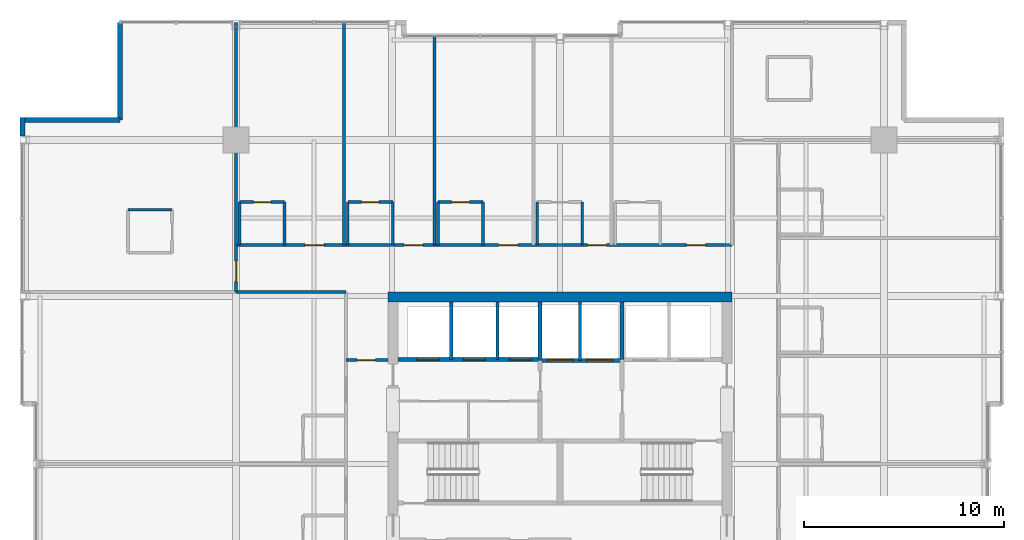
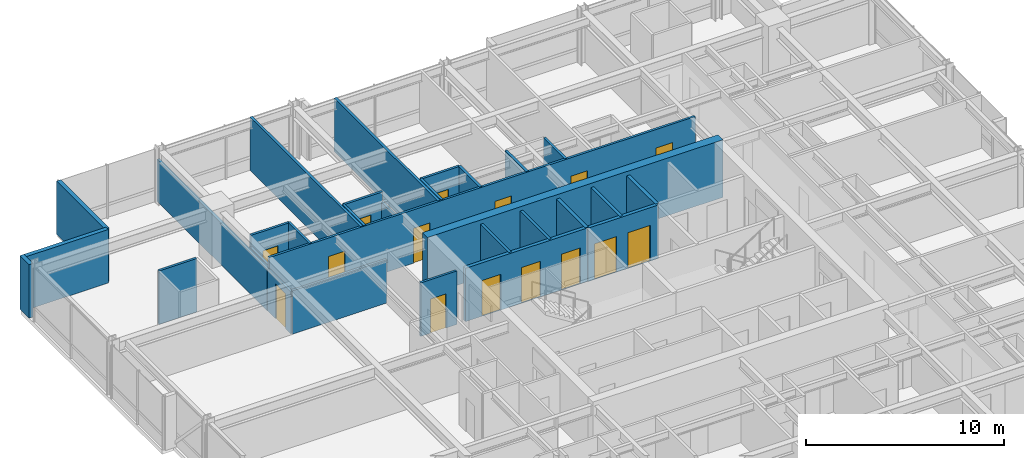
# One storey, part 29 of 33: 30 walls, 15 doors, 15 openings.
"""IFC4 building model written with IfcOpenShell, lengths in metres."""

from ifc_helpers import new_model, si_unit, direction, frame, frame_2d, origin, place, context, subcontext, project, spatial, rectangle, extrude, material, layer, layer_set, type_object, element, fill, save


model = new_model("IFC4")

# Units and contexts
model_context = context("Model", 3, precision=1e-05, world=origin(), true_north=direction((0.0, 1.0)))
body_context = subcontext(model_context, "Body", "Model", "MODEL_VIEW")
ifc_project = project(units=[si_unit("LENGTHUNIT", "METRE"), si_unit("AREAUNIT", "SQUARE_METRE"), si_unit("VOLUMEUNIT", "CUBIC_METRE"), si_unit("PLANEANGLEUNIT", "RADIAN"), si_unit("MASSUNIT", "GRAM", prefix="KILO")], contexts=[model_context])

# Site, building, storey
site_placement = place(None, origin())
site = spatial("IfcSite", under=ifc_project, at=site_placement, CompositionType="ELEMENT")
building_placement = place(site_placement, origin())
building = spatial("IfcBuilding", under=site, at=building_placement, Name="Drelvath Grand Hotel", CompositionType="ELEMENT")
storey_placement = place(building_placement, frame((0.0, 0.0, 153.949951171875)))
storey = spatial("IfcBuildingStorey", under=building, at=storey_placement, Name="L39", CompositionType="ELEMENT", Elevation=153.949951171875)

# Wall
ifc_material_1 = material(Name="Concrete C40/50", Category="concrete")
ifc_layer_1 = layer(ifc_material_1, 0.199951171875)
ifc_layer_set_1 = layer_set([ifc_layer_1], Name="Concrete C40/50")
wall_type_1 = type_object("IfcWallType", Name="Core Hoistway Fire Wall 200", PredefinedType="SOLIDWALL", material=ifc_layer_set_1)
wall_1_placement = place(storey_placement, frame((3.10009765625, 32.219970703125, 0.0), z_axis=(0.0, 0.0, 1.0), x_axis=(0.0, 1.0, 0.0)))
element("IfcWall", 1, at=wall_1_placement, inside=storey, type_object=wall_type_1, Name="L39 FSAE Hoistway West Wall", PredefinedType="SOLIDWALL", context=body_context, shape_type="SweptSolid", body=[
    extrude(rectangle(XDim=2.880126953125, YDim=0.199951171875, at=frame_2d((1.43994140625, 0.0))), origin(), (0.0, 0.0, 1.0), 3.2900390625),
])

# Wall, openings, doors
wall_2_placement = place(storey_placement, frame((-1.0, 32.179931640625, 0.0), z_axis=(0.0, 0.0, 1.0), x_axis=(1.0, 0.0, 0.0)))
wall_2 = element("IfcWall", 2, at=wall_2_placement, inside=storey, type_object=wall_type_1, Name="L39 Service Lift Hoistway Wall", PredefinedType="SOLIDWALL", context=body_context, shape_type="SweptSolid", body=[
    extrude(rectangle(XDim=4.10009765625, YDim=0.199951171875, at=frame_2d((2.050048828125, 0.0))), origin(), (0.0, 0.0, 1.0), 3.2900390625),
])
opening_1_placement = place(wall_2_placement, frame((0.3701171875, 0.0, 0.0)))
opening_1 = element("IfcOpeningElement", 3, at=opening_1_placement, cuts=wall_2, Name="Opening LD-SV-2", PredefinedType="OPENING", context=body_context, shape_type="SweptSolid", body=[
    extrude(rectangle(XDim=1.300048828125, YDim=2.199951171875, at=frame_2d((0.64990234375, 1.10009765625))), frame((0.0, 0.10986328125, 0.0), z_axis=(0.0, -1.0, 0.0), x_axis=(1.0, 0.0, 0.0)), (0.0, 0.0, 1.0), 0.219970703125),
])
opening_2_placement = place(wall_2_placement, frame((2.330078125, 0.0, 0.0)))
opening_2 = element("IfcOpeningElement", 4, at=opening_2_placement, cuts=wall_2, Name="Opening LD-SV-1", PredefinedType="OPENING", context=body_context, shape_type="SweptSolid", body=[
    extrude(rectangle(XDim=1.300048828125, YDim=2.199951171875, at=frame_2d((0.64990234375, 1.10009765625))), frame((0.0, 0.10986328125, 0.0), z_axis=(0.0, -1.0, 0.0), x_axis=(1.0, 0.0, 0.0)), (0.0, 0.0, 1.0), 0.219970703125),
])
ifc_material_2 = material(Name="Stainless Steel S355", Category="steel")
door_type_1 = type_object("IfcDoorType", Name="Service Lift Sliding Landing Door 1300x2200", OperationType="NOTDEFINED", PredefinedType="DOOR", material=ifc_material_2)
door_1_placement = place(opening_1_placement, origin())
door_1 = element("IfcDoor", 5, at=door_1_placement, inside=storey, type_object=door_type_1, Name="L39 Lift SV-2 Landing Door", OperationType="SLIDING_TO_LEFT", OverallHeight=2.199951171875, OverallWidth=1.300048828125, PredefinedType="DOOR", context=body_context, shape_type="SweptSolid", body=[
    extrude(rectangle(XDim=1.300048828125, YDim=2.199951171875, at=frame_2d((0.64990234375, 1.10009765625))), frame((0.0, 0.02490234375, 0.0), z_axis=(0.0, -1.0, 0.0), x_axis=(1.0, 0.0, 0.0)), (0.0, 0.0, 1.0), 0.050048828125),
])
fill(opening_1, door_1)
door_2_placement = place(opening_2_placement, origin())
door_2 = element("IfcDoor", 6, at=door_2_placement, inside=storey, type_object=door_type_1, Name="L39 Lift SV-1 Landing Door", OperationType="SLIDING_TO_LEFT", OverallHeight=2.199951171875, OverallWidth=1.300048828125, PredefinedType="DOOR", context=body_context, shape_type="SweptSolid", body=[
    extrude(rectangle(XDim=1.300048828125, YDim=2.199951171875, at=frame_2d((0.64990234375, 1.10009765625))), frame((0.0, 0.02490234375, 0.0), z_axis=(0.0, -1.0, 0.0), x_axis=(1.0, 0.0, 0.0)), (0.0, 0.0, 1.0), 0.050048828125),
])
fill(opening_2, door_2)

# Wall
wall_3_placement = place(storey_placement, frame((-1.0, 32.179931640625, 0.0), z_axis=(0.0, 0.0, 1.0), x_axis=(0.0, 1.0, 0.0)))
element("IfcWall", 7, at=wall_3_placement, inside=storey, type_object=wall_type_1, Name="L39 Service Lift West Wall", PredefinedType="SOLIDWALL", context=body_context, shape_type="SweptSolid", body=[
    extrude(rectangle(XDim=2.920166015625, YDim=0.199951171875, at=frame_2d((1.4599609375, 0.0))), origin(), (0.0, 0.0, 1.0), 3.2900390625),
])

# Wall, openings, doors
wall_4_placement = place(storey_placement, frame((-8.10009765625, 32.219970703125, 0.0), z_axis=(0.0, 0.0, 1.0), x_axis=(1.0, 0.0, 0.0)))
wall_4 = element("IfcWall", 8, at=wall_4_placement, inside=storey, type_object=wall_type_1, Name="L39 Bank 3 Hoistway Wall", PredefinedType="SOLIDWALL", context=body_context, shape_type="SweptSolid", body=[
    extrude(rectangle(XDim=7.10009765625, YDim=0.199951171875, at=frame_2d((3.550048828125, 0.0))), origin(), (0.0, 0.0, 1.0), 3.2900390625),
])
opening_3_placement = place(wall_4_placement, frame((0.949951171875, 0.0, 0.0)))
opening_3 = element("IfcOpeningElement", 9, at=opening_3_placement, cuts=wall_4, Name="Opening LD-PE-7", PredefinedType="OPENING", context=body_context, shape_type="SweptSolid", body=[
    extrude(rectangle(XDim=1.10009765625, YDim=2.199951171875, at=frame_2d((0.550048828125, 1.10009765625))), frame((0.0, 0.10986328125, 0.0), z_axis=(0.0, -1.0, 0.0), x_axis=(1.0, 0.0, 0.0)), (0.0, 0.0, 1.0), 0.219970703125),
])
opening_4_placement = place(wall_4_placement, frame((3.27001953125, 0.0, 0.0)))
opening_4 = element("IfcOpeningElement", 10, at=opening_4_placement, cuts=wall_4, Name="Opening LD-PE-8", PredefinedType="OPENING", context=body_context, shape_type="SweptSolid", body=[
    extrude(rectangle(XDim=1.10009765625, YDim=2.199951171875, at=frame_2d((0.550048828125, 1.10009765625))), frame((0.0, 0.10986328125, 0.0), z_axis=(0.0, -1.0, 0.0), x_axis=(1.0, 0.0, 0.0)), (0.0, 0.0, 1.0), 0.219970703125),
])
opening_5_placement = place(wall_4_placement, frame((5.590087890625, 0.0, 0.0)))
opening_5 = element("IfcOpeningElement", 11, at=opening_5_placement, cuts=wall_4, Name="Opening LD-PE-9", PredefinedType="OPENING", context=body_context, shape_type="SweptSolid", body=[
    extrude(rectangle(XDim=1.10009765625, YDim=2.199951171875, at=frame_2d((0.550048828125, 1.10009765625))), frame((0.0, 0.10986328125, 0.0), z_axis=(0.0, -1.0, 0.0), x_axis=(1.0, 0.0, 0.0)), (0.0, 0.0, 1.0), 0.219970703125),
])
door_type_2 = type_object("IfcDoorType", Name="Passenger Lift Sliding Landing Door 1100x2200", OperationType="NOTDEFINED", PredefinedType="DOOR", material=ifc_material_2)
door_3_placement = place(opening_3_placement, origin())
door_3 = element("IfcDoor", 12, at=door_3_placement, inside=storey, type_object=door_type_2, Name="L39 Lift PE-7 Landing Door", OperationType="SLIDING_TO_LEFT", OverallHeight=2.199951171875, OverallWidth=1.10009765625, PredefinedType="DOOR", context=body_context, shape_type="SweptSolid", body=[
    extrude(rectangle(XDim=1.10009765625, YDim=2.199951171875, at=frame_2d((0.550048828125, 1.10009765625))), frame((0.0, 0.02490234375, 0.0), z_axis=(0.0, -1.0, 0.0), x_axis=(1.0, 0.0, 0.0)), (0.0, 0.0, 1.0), 0.050048828125),
])
fill(opening_3, door_3)
door_4_placement = place(opening_4_placement, origin())
door_4 = element("IfcDoor", 13, at=door_4_placement, inside=storey, type_object=door_type_2, Name="L39 Lift PE-8 Landing Door", OperationType="SLIDING_TO_LEFT", OverallHeight=2.199951171875, OverallWidth=1.10009765625, PredefinedType="DOOR", context=body_context, shape_type="SweptSolid", body=[
    extrude(rectangle(XDim=1.10009765625, YDim=2.199951171875, at=frame_2d((0.550048828125, 1.10009765625))), frame((0.0, 0.02490234375, 0.0), z_axis=(0.0, -1.0, 0.0), x_axis=(1.0, 0.0, 0.0)), (0.0, 0.0, 1.0), 0.050048828125),
])
fill(opening_4, door_4)
door_5_placement = place(opening_5_placement, origin())
door_5 = element("IfcDoor", 14, at=door_5_placement, inside=storey, type_object=door_type_2, Name="L39 Lift PE-9 Landing Door", OperationType="SLIDING_TO_LEFT", OverallHeight=2.199951171875, OverallWidth=1.10009765625, PredefinedType="DOOR", context=body_context, shape_type="SweptSolid", body=[
    extrude(rectangle(XDim=1.10009765625, YDim=2.199951171875, at=frame_2d((0.550048828125, 1.10009765625))), frame((0.0, 0.02490234375, 0.0), z_axis=(0.0, -1.0, 0.0), x_axis=(1.0, 0.0, 0.0)), (0.0, 0.0, 1.0), 0.050048828125),
])
fill(opening_5, door_5)

# Walls
ifc_material_3 = material(Name="Gypsum Fireboard Partition")
ifc_layer_2 = layer(ifc_material_3, 0.1650390625)
ifc_layer_set_2 = layer_set([ifc_layer_2], Name="Gypsum Fireboard Partition")
wall_type_2 = type_object("IfcWallType", Name="Core Shaft Partition 165", PredefinedType="PARTITIONING", material=ifc_layer_set_2)
wall_5_placement = place(storey_placement, frame((1.0, 32.179931640625, 0.0), z_axis=(0.0, 0.0, 1.0), x_axis=(0.0, 1.0, 0.0)))
element("IfcWall", 15, at=wall_5_placement, inside=storey, type_object=wall_type_2, Name="L39 Service Lift Divider", PredefinedType="PARTITIONING", context=body_context, shape_type="SweptSolid", body=[
    extrude(rectangle(XDim=2.920166015625, YDim=0.1650390625, at=frame_2d((1.4599609375, 0.0))), origin(), (0.0, 0.0, 1.0), 3.2900390625),
])
for number, where, z_axis, x_axis, name in (
    (16, (-5.43994140625, 32.219970703125, 0.0), (0.0, 0.0, 1.0), (0.0, 1.0, 0.0), "L39 Lift PE-7/8 Divider"),
    (17, (-3.1201171875, 32.219970703125, 0.0), (0.0, 0.0, 1.0), (0.0, 1.0, 0.0), "L39 Lift PE-8/9 Divider"),
):
    element("IfcWall", number, at=place(storey_placement, frame(where, z_axis=z_axis, x_axis=x_axis)), inside=storey, type_object=wall_type_2, Name=name, PredefinedType="PARTITIONING", context=body_context, shape_type="SweptSolid", body=[
        extrude(rectangle(XDim=2.880126953125, YDim=0.1650390625, at=frame_2d((1.43994140625, 0.0))), origin(), (0.0, 0.0, 1.0), 3.2900390625),
    ])

# Wall, opening, door
ifc_layer_3 = layer(ifc_material_3, 0.135009765625)
ifc_layer_set_3 = layer_set([ifc_layer_3], Name="Gypsum Fireboard Partition")
wall_type_3 = type_object("IfcWallType", Name="Corridor Fire Barrier Wall 135", PredefinedType="PARTITIONING", material=ifc_layer_set_3)
wall_6_placement = place(storey_placement, frame((-10.699951171875, 32.199951171875, 0.0), z_axis=(0.0, 0.0, 1.0), x_axis=(1.0, 0.0, 0.0)))
wall_6 = element("IfcWall", 18, at=wall_6_placement, inside=storey, type_object=wall_type_3, Name="L39 West Foyer North Wall", PredefinedType="PARTITIONING", context=body_context, shape_type="SweptSolid", body=[
    extrude(rectangle(XDim=2.099853515625, YDim=0.135009765625, at=frame_2d((1.0498046875, 0.0))), origin(), (0.0, 0.0, 1.0), 3.2900390625),
])
opening_6_placement = place(wall_6_placement, frame((0.550048828125, 0.0, 0.0)))
opening_6 = element("IfcOpeningElement", 19, at=opening_6_placement, cuts=wall_6, Name="Opening D-T3G1-025", PredefinedType="OPENING", context=body_context, shape_type="SweptSolid", body=[
    extrude(rectangle(XDim=0.919921875, YDim=2.10009765625, at=frame_2d((0.4599609375, 1.050048828125))), frame((0.0, 0.077392578125, 0.0), z_axis=(0.0, -1.0, 0.0), x_axis=(1.0, 0.0, 0.0)), (0.0, 0.0, 1.0), 0.155029296875),
])
ifc_material_4 = material(Name="Painted Steel S275", Category="steel")
door_type_3 = type_object("IfcDoorType", Name="Staff Utility Door 920x2100", OperationType="NOTDEFINED", PredefinedType="DOOR", material=ifc_material_4)
door_6_placement = place(opening_6_placement, origin())
door_6 = element("IfcDoor", 20, at=door_6_placement, inside=storey, type_object=door_type_3, Name="L39 West Pantry Door", OperationType="SINGLE_SWING_LEFT", OverallHeight=2.10009765625, OverallWidth=0.919921875, PredefinedType="DOOR", context=body_context, shape_type="SweptSolid", body=[
    extrude(rectangle(XDim=0.919921875, YDim=2.10009765625, at=frame_2d((0.4599609375, 1.050048828125))), frame((0.0, 0.02490234375, 0.0), z_axis=(0.0, -1.0, 0.0), x_axis=(1.0, 0.0, 0.0)), (0.0, 0.0, 1.0), 0.050048828125),
])
fill(opening_6, door_6)

# Wall
wall_7_placement = place(storey_placement, frame((-16.199951171875, 35.60009765625, 0.0), z_axis=(0.0, 0.0, 1.0), x_axis=(1.0, 0.0, 0.0)))
element("IfcWall", 21, at=wall_7_placement, inside=storey, type_object=wall_type_3, Name="L39 NW Stub South Wall", PredefinedType="PARTITIONING", context=body_context, shape_type="SweptSolid", body=[
    extrude(rectangle(XDim=5.5, YDim=0.135009765625, at=frame_2d((2.75, 0.0))), origin(), (0.0, 0.0, 1.0), 2.66748046875),
])

# Wall, openings, doors
wall_8_placement = place(storey_placement, frame((-16.199951171875, 37.949951171875, 0.0), z_axis=(0.0, 0.0, 1.0), x_axis=(1.0, 0.0, 0.0)))
wall_8 = element("IfcWall", 22, at=wall_8_placement, inside=storey, type_object=wall_type_3, Name="L39 North Stub Corridor Wall", PredefinedType="PARTITIONING", context=body_context, shape_type="SweptSolid", body=[
    extrude(rectangle(XDim=24.800048828125, YDim=0.135009765625, at=frame_2d((12.39990234375, 0.0))), origin(), (0.0, 0.0, 1.0), 3.2900390625),
])
opening_7_placement = place(wall_8_placement, frame((3.4404296875, 0.0, 0.0)))
opening_7 = element("IfcOpeningElement", 23, at=opening_7_placement, cuts=wall_8, Name="Opening D-T3G1-044", PredefinedType="OPENING", context=body_context, shape_type="SweptSolid", body=[
    extrude(rectangle(XDim=0.9599609375, YDim=2.14990234375, at=frame_2d((0.47998046875, 1.074951171875))), frame((0.0, 0.077392578125, 0.0), z_axis=(0.0, -1.0, 0.0), x_axis=(1.0, 0.0, 0.0)), (0.0, 0.0, 1.0), 0.155029296875),
])
opening_8_placement = place(wall_8_placement, frame((8.400390625, 0.0, 0.0)))
opening_8 = element("IfcOpeningElement", 24, at=opening_8_placement, cuts=wall_8, Name="Opening D-T3G1-046", PredefinedType="OPENING", context=body_context, shape_type="SweptSolid", body=[
    extrude(rectangle(XDim=0.9599609375, YDim=2.14990234375, at=frame_2d((0.47998046875, 1.074951171875))), frame((0.0, 0.077392578125, 0.0), z_axis=(0.0, -1.0, 0.0), x_axis=(1.0, 0.0, 0.0)), (0.0, 0.0, 1.0), 0.155029296875),
])
opening_9_placement = place(wall_8_placement, frame((13.135009765625, 0.0, 0.0)))
opening_9 = element("IfcOpeningElement", 25, at=opening_9_placement, cuts=wall_8, Name="Opening D-T3G1-048", PredefinedType="OPENING", context=body_context, shape_type="SweptSolid", body=[
    extrude(rectangle(XDim=0.9599609375, YDim=2.14990234375, at=frame_2d((0.47998046875, 1.074951171875))), frame((0.0, 0.077392578125, 0.0), z_axis=(0.0, -1.0, 0.0), x_axis=(1.0, 0.0, 0.0)), (0.0, 0.0, 1.0), 0.155029296875),
])
opening_10_placement = place(wall_8_placement, frame((17.56494140625, 0.0, 0.0)))
opening_10 = element("IfcOpeningElement", 26, at=opening_10_placement, cuts=wall_8, Name="Opening D-T3G1-050", PredefinedType="OPENING", context=body_context, shape_type="SweptSolid", body=[
    extrude(rectangle(XDim=0.9599609375, YDim=2.14990234375, at=frame_2d((0.47998046875, 1.074951171875))), frame((0.0, 0.077392578125, 0.0), z_axis=(0.0, -1.0, 0.0), x_axis=(1.0, 0.0, 0.0)), (0.0, 0.0, 1.0), 0.155029296875),
])
opening_11_placement = place(wall_8_placement, frame((22.52490234375, 0.0, 0.0)))
opening_11 = element("IfcOpeningElement", 27, at=opening_11_placement, cuts=wall_8, Name="Opening D-T3G1-052", PredefinedType="OPENING", context=body_context, shape_type="SweptSolid", body=[
    extrude(rectangle(XDim=0.9599609375, YDim=2.14990234375, at=frame_2d((0.47998046875, 1.074951171875))), frame((0.0, 0.077392578125, 0.0), z_axis=(0.0, -1.0, 0.0), x_axis=(1.0, 0.0, 0.0)), (0.0, 0.0, 1.0), 0.155029296875),
])
ifc_material_5 = material(Name="Hardwood Walnut Timber", Category="wood")
door_type_4 = type_object("IfcDoorType", Name="Guestroom Entrance Fire Door 960x2150", OperationType="NOTDEFINED", PredefinedType="DOOR", material=ifc_material_5)
door_7_placement = place(opening_7_placement, origin())
door_7 = element("IfcDoor", 28, at=door_7_placement, inside=storey, type_object=door_type_4, Name="L39 King Guest Room Entry Door", OperationType="SINGLE_SWING_RIGHT", OverallHeight=2.14990234375, OverallWidth=0.9599609375, PredefinedType="DOOR", context=body_context, shape_type="SweptSolid", body=[
    extrude(rectangle(XDim=0.9599609375, YDim=2.14990234375, at=frame_2d((0.47998046875, 1.074951171875))), frame((0.0, 0.02490234375, 0.0), z_axis=(0.0, -1.0, 0.0), x_axis=(1.0, 0.0, 0.0)), (0.0, 0.0, 1.0), 0.050048828125),
])
fill(opening_7, door_7)
door_8_placement = place(opening_8_placement, origin())
door_8 = element("IfcDoor", 29, at=door_8_placement, inside=storey, type_object=door_type_4, Name="L39 King Guest Room Entry Door", OperationType="SINGLE_SWING_RIGHT", OverallHeight=2.14990234375, OverallWidth=0.9599609375, PredefinedType="DOOR", context=body_context, shape_type="SweptSolid", body=[
    extrude(rectangle(XDim=0.9599609375, YDim=2.14990234375, at=frame_2d((0.47998046875, 1.074951171875))), frame((0.0, 0.02490234375, 0.0), z_axis=(0.0, -1.0, 0.0), x_axis=(1.0, 0.0, 0.0)), (0.0, 0.0, 1.0), 0.050048828125),
])
fill(opening_8, door_8)
door_9_placement = place(opening_9_placement, origin())
door_9 = element("IfcDoor", 30, at=door_9_placement, inside=storey, type_object=door_type_4, Name="L39 King Guest Room Entry Door", OperationType="SINGLE_SWING_RIGHT", OverallHeight=2.14990234375, OverallWidth=0.9599609375, PredefinedType="DOOR", context=body_context, shape_type="SweptSolid", body=[
    extrude(rectangle(XDim=0.9599609375, YDim=2.14990234375, at=frame_2d((0.47998046875, 1.074951171875))), frame((0.0, 0.02490234375, 0.0), z_axis=(0.0, -1.0, 0.0), x_axis=(1.0, 0.0, 0.0)), (0.0, 0.0, 1.0), 0.050048828125),
])
fill(opening_9, door_9)
door_10_placement = place(opening_10_placement, origin())
door_10 = element("IfcDoor", 31, at=door_10_placement, inside=storey, type_object=door_type_4, Name="L39 King Guest Room Entry Door", OperationType="SINGLE_SWING_RIGHT", OverallHeight=2.14990234375, OverallWidth=0.9599609375, PredefinedType="DOOR", context=body_context, shape_type="SweptSolid", body=[
    extrude(rectangle(XDim=0.9599609375, YDim=2.14990234375, at=frame_2d((0.47998046875, 1.074951171875))), frame((0.0, 0.02490234375, 0.0), z_axis=(0.0, -1.0, 0.0), x_axis=(1.0, 0.0, 0.0)), (0.0, 0.0, 1.0), 0.050048828125),
])
fill(opening_10, door_10)
door_11_placement = place(opening_11_placement, origin())
door_11 = element("IfcDoor", 32, at=door_11_placement, inside=storey, type_object=door_type_4, Name="L39 King Guest Room Entry Door", OperationType="SINGLE_SWING_RIGHT", OverallHeight=2.14990234375, OverallWidth=0.9599609375, PredefinedType="DOOR", context=body_context, shape_type="SweptSolid", body=[
    extrude(rectangle(XDim=0.9599609375, YDim=2.14990234375, at=frame_2d((0.47998046875, 1.074951171875))), frame((0.0, 0.02490234375, 0.0), z_axis=(0.0, -1.0, 0.0), x_axis=(1.0, 0.0, 0.0)), (0.0, 0.0, 1.0), 0.050048828125),
])
fill(opening_11, door_11)

# Wall, opening, door
wall_9_placement = place(storey_placement, frame((-16.199951171875, 35.60009765625, 0.0), z_axis=(0.0, 0.0, 1.0), x_axis=(0.0, 1.0, 0.0)))
wall_9 = element("IfcWall", 33, at=wall_9_placement, inside=storey, type_object=wall_type_3, Name="L39 North Stub West End", PredefinedType="PARTITIONING", context=body_context, shape_type="SweptSolid", body=[
    extrude(rectangle(XDim=2.349853515625, YDim=0.135009765625, at=frame_2d((1.1748046875, 0.0))), origin(), (0.0, 0.0, 1.0), 2.57958984375),
])
opening_12_placement = place(wall_9_placement, frame((0.52001953125, 0.0, 0.0)))
opening_12 = element("IfcOpeningElement", 34, at=opening_12_placement, cuts=wall_9, Name="Opening D-T3G1-029", PredefinedType="OPENING", context=body_context, shape_type="SweptSolid", body=[
    extrude(rectangle(XDim=1.02001953125, YDim=2.14990234375, at=frame_2d((0.510009765625, 1.074951171875))), frame((0.0, 0.077392578125, 0.0), z_axis=(0.0, -1.0, 0.0), x_axis=(1.0, 0.0, 0.0)), (0.0, 0.0, 1.0), 0.155029296875),
])
door_type_5 = type_object("IfcDoorType", Name="Amenity Meeting Fire Door 1020x2150", OperationType="NOTDEFINED", PredefinedType="DOOR", material=ifc_material_5)
door_12_placement = place(opening_12_placement, origin())
door_12 = element("IfcDoor", 35, at=door_12_placement, inside=storey, type_object=door_type_5, Name="L39 Executive Suite Entry Door", OperationType="SINGLE_SWING_LEFT", OverallHeight=2.14990234375, OverallWidth=1.02001953125, PredefinedType="DOOR", context=body_context, shape_type="SweptSolid", body=[
    extrude(rectangle(XDim=1.02001953125, YDim=2.14990234375, at=frame_2d((0.510009765625, 1.074951171875))), frame((0.0, 0.02490234375, 0.0), z_axis=(0.0, -1.0, 0.0), x_axis=(1.0, 0.0, 0.0)), (0.0, 0.0, 1.0), 0.050048828125),
])
fill(opening_12, door_12)

# Walls
ifc_material_6 = material(Name="Moisture-Resistant Gypsum Board")
ifc_layer_4 = layer(ifc_material_6, 0.139892578125)
ifc_layer_set_4 = layer_set([ifc_layer_4], Name="Moisture-Resistant Gypsum Board")
wall_type_4 = type_object("IfcWallType", Name="En-Suite Plumbing Wall 140", PredefinedType="PLUMBINGWALL", material=ifc_layer_set_4)
wall_10_placement = place(storey_placement, frame((-21.60009765625, 39.7099609375, 0.0), z_axis=(0.0, 0.0, 1.0), x_axis=(1.0, 0.0, 0.0)))
element("IfcWall", 36, at=wall_10_placement, inside=storey, type_object=wall_type_4, Name="L39 Corner En-Suite North", PredefinedType="PLUMBINGWALL", context=body_context, shape_type="SweptSolid", body=[
    extrude(rectangle(XDim=2.2001953125, YDim=0.139892578125, at=frame_2d((1.10009765625, 0.0))), origin(), (0.0, 0.0, 1.0), 3.2900390625),
])
wall_11_placement = place(storey_placement, frame((-16.02001953125, 37.949951171875, 0.0), z_axis=(0.0, 0.0, 1.0), x_axis=(0.0, 1.0, 0.0)))
element("IfcWall", 37, at=wall_11_placement, inside=storey, type_object=wall_type_4, Name="L39 En-Suite Left Wall", PredefinedType="PLUMBINGWALL", context=body_context, shape_type="SweptSolid", body=[
    extrude(rectangle(XDim=2.150146484375, YDim=0.139892578125, at=frame_2d((1.0751953125, 0.0))), origin(), (0.0, 0.0, 1.0), 2.57958984375),
])
wall_12_placement = place(storey_placement, frame((-13.77001953125, 37.949951171875, 0.0), z_axis=(0.0, 0.0, 1.0), x_axis=(0.0, 1.0, 0.0)))
element("IfcWall", 38, at=wall_12_placement, inside=storey, type_object=wall_type_4, Name="L39 En-Suite Right Wall", PredefinedType="PLUMBINGWALL", context=body_context, shape_type="SweptSolid", body=[
    extrude(rectangle(XDim=2.150146484375, YDim=0.139892578125, at=frame_2d((1.0751953125, 0.0))), origin(), (0.0, 0.0, 1.0), 3.2900390625),
])

# Wall, opening, door
wall_13_placement = place(storey_placement, frame((-16.02001953125, 40.10009765625, 0.0), z_axis=(0.0, 0.0, 1.0), x_axis=(1.0, 0.0, 0.0)))
wall_13 = element("IfcWall", 39, at=wall_13_placement, inside=storey, type_object=wall_type_4, Name="L39 En-Suite Front Wall", PredefinedType="PLUMBINGWALL", context=body_context, shape_type="SweptSolid", body=[
    extrude(rectangle(XDim=2.25, YDim=0.139892578125, at=frame_2d((1.125, 0.0))), origin(), (0.0, 0.0, 1.0), 3.2900390625),
])
opening_13_placement = place(wall_13_placement, frame((0.68505859375, 0.0, 0.0)))
opening_13 = element("IfcOpeningElement", 40, at=opening_13_placement, cuts=wall_13, Name="Opening D-T3G1-043", PredefinedType="OPENING", context=body_context, shape_type="SweptSolid", body=[
    extrude(rectangle(XDim=0.8798828125, YDim=2.10009765625, at=frame_2d((0.43994140625, 1.050048828125))), frame((0.0, 0.079833984375, 0.0), z_axis=(0.0, -1.0, 0.0), x_axis=(1.0, 0.0, 0.0)), (0.0, 0.0, 1.0), 0.159912109375),
])
door_type_6 = type_object("IfcDoorType", Name="En-Suite Bathroom Door 880x2100", OperationType="NOTDEFINED", PredefinedType="DOOR", material=ifc_material_5)
door_13_placement = place(opening_13_placement, origin())
door_13 = element("IfcDoor", 41, at=door_13_placement, inside=storey, type_object=door_type_6, Name="L39 En-Suite Bathroom Door", OperationType="SINGLE_SWING_LEFT", OverallHeight=2.10009765625, OverallWidth=0.8798828125, PredefinedType="DOOR", context=body_context, shape_type="SweptSolid", body=[
    extrude(rectangle(XDim=0.8798828125, YDim=2.10009765625, at=frame_2d((0.43994140625, 1.050048828125))), frame((0.0, 0.02490234375, 0.0), z_axis=(0.0, -1.0, 0.0), x_axis=(1.0, 0.0, 0.0)), (0.0, 0.0, 1.0), 0.050048828125),
])
fill(opening_13, door_13)

# Walls
wall_14_placement = place(storey_placement, frame((-10.609130859375, 37.949951171875, 0.0), z_axis=(0.0, 0.0, 1.0), x_axis=(0.0, 1.0, 0.0)))
element("IfcWall", 42, at=wall_14_placement, inside=storey, type_object=wall_type_4, Name="L39 En-Suite Left Wall", PredefinedType="PLUMBINGWALL", context=body_context, shape_type="SweptSolid", body=[
    extrude(rectangle(XDim=2.150146484375, YDim=0.139892578125, at=frame_2d((1.0751953125, 0.0))), origin(), (0.0, 0.0, 1.0), 3.2900390625),
])
wall_15_placement = place(storey_placement, frame((-8.359130859375, 37.949951171875, 0.0), z_axis=(0.0, 0.0, 1.0), x_axis=(0.0, 1.0, 0.0)))
element("IfcWall", 43, at=wall_15_placement, inside=storey, type_object=wall_type_4, Name="L39 En-Suite Right Wall", PredefinedType="PLUMBINGWALL", context=body_context, shape_type="SweptSolid", body=[
    extrude(rectangle(XDim=2.150146484375, YDim=0.139892578125, at=frame_2d((1.0751953125, 0.0))), origin(), (0.0, 0.0, 1.0), 2.66748046875),
])

# Wall, opening, door
wall_16_placement = place(storey_placement, frame((-10.609130859375, 40.10009765625, 0.0), z_axis=(0.0, 0.0, 1.0), x_axis=(1.0, 0.0, 0.0)))
wall_16 = element("IfcWall", 44, at=wall_16_placement, inside=storey, type_object=wall_type_4, Name="L39 En-Suite Front Wall", PredefinedType="PLUMBINGWALL", context=body_context, shape_type="SweptSolid", body=[
    extrude(rectangle(XDim=2.25, YDim=0.139892578125, at=frame_2d((1.125, 0.0))), origin(), (0.0, 0.0, 1.0), 3.2900390625),
])
opening_14_placement = place(wall_16_placement, frame((0.68505859375, 0.0, 0.0)))
opening_14 = element("IfcOpeningElement", 45, at=opening_14_placement, cuts=wall_16, Name="Opening D-T3G1-045", PredefinedType="OPENING", context=body_context, shape_type="SweptSolid", body=[
    extrude(rectangle(XDim=0.8798828125, YDim=2.10009765625, at=frame_2d((0.43994140625, 1.050048828125))), frame((0.0, 0.079833984375, 0.0), z_axis=(0.0, -1.0, 0.0), x_axis=(1.0, 0.0, 0.0)), (0.0, 0.0, 1.0), 0.159912109375),
])
door_14_placement = place(opening_14_placement, origin())
door_14 = element("IfcDoor", 46, at=door_14_placement, inside=storey, type_object=door_type_6, Name="L39 En-Suite Bathroom Door", OperationType="SINGLE_SWING_LEFT", OverallHeight=2.10009765625, OverallWidth=0.8798828125, PredefinedType="DOOR", context=body_context, shape_type="SweptSolid", body=[
    extrude(rectangle(XDim=0.8798828125, YDim=2.10009765625, at=frame_2d((0.43994140625, 1.050048828125))), frame((0.0, 0.02490234375, 0.0), z_axis=(0.0, -1.0, 0.0), x_axis=(1.0, 0.0, 0.0)), (0.0, 0.0, 1.0), 0.050048828125),
])
fill(opening_14, door_14)

# Walls
for number, where, z_axis, x_axis, name in (
    (47, (-6.10009765625, 37.949951171875, 0.0), (0.0, 0.0, 1.0), (0.0, 1.0, 0.0), "L39 En-Suite Left Wall"),
    (48, (-3.85009765625, 37.949951171875, 0.0), (0.0, 0.0, 1.0), (0.0, 1.0, 0.0), "L39 En-Suite Right Wall"),
):
    element("IfcWall", number, at=place(storey_placement, frame(where, z_axis=z_axis, x_axis=x_axis)), inside=storey, type_object=wall_type_4, Name=name, PredefinedType="PLUMBINGWALL", context=body_context, shape_type="SweptSolid", body=[
        extrude(rectangle(XDim=2.150146484375, YDim=0.139892578125, at=frame_2d((1.0751953125, 0.0))), origin(), (0.0, 0.0, 1.0), 3.2900390625),
    ])

# Wall, opening, door
wall_17_placement = place(storey_placement, frame((-6.10009765625, 40.10009765625, 0.0), z_axis=(0.0, 0.0, 1.0), x_axis=(1.0, 0.0, 0.0)))
wall_17 = element("IfcWall", 49, at=wall_17_placement, inside=storey, type_object=wall_type_4, Name="L39 En-Suite Front Wall", PredefinedType="PLUMBINGWALL", context=body_context, shape_type="SweptSolid", body=[
    extrude(rectangle(XDim=2.25, YDim=0.139892578125, at=frame_2d((1.125, 0.0))), origin(), (0.0, 0.0, 1.0), 3.2900390625),
])
opening_15_placement = place(wall_17_placement, frame((0.68505859375, 0.0, 0.0)))
opening_15 = element("IfcOpeningElement", 50, at=opening_15_placement, cuts=wall_17, Name="Opening D-T3G1-047", PredefinedType="OPENING", context=body_context, shape_type="SweptSolid", body=[
    extrude(rectangle(XDim=0.8798828125, YDim=2.10009765625, at=frame_2d((0.43994140625, 1.050048828125))), frame((0.0, 0.079833984375, 0.0), z_axis=(0.0, -1.0, 0.0), x_axis=(1.0, 0.0, 0.0)), (0.0, 0.0, 1.0), 0.159912109375),
])
door_15_placement = place(opening_15_placement, origin())
door_15 = element("IfcDoor", 51, at=door_15_placement, inside=storey, type_object=door_type_6, Name="L39 En-Suite Bathroom Door", OperationType="SINGLE_SWING_LEFT", OverallHeight=2.10009765625, OverallWidth=0.8798828125, PredefinedType="DOOR", context=body_context, shape_type="SweptSolid", body=[
    extrude(rectangle(XDim=0.8798828125, YDim=2.10009765625, at=frame_2d((0.43994140625, 1.050048828125))), frame((0.0, 0.02490234375, 0.0), z_axis=(0.0, -1.0, 0.0), x_axis=(1.0, 0.0, 0.0)), (0.0, 0.0, 1.0), 0.050048828125),
])
fill(opening_15, door_15)

# Walls
for number, where, z_axis, x_axis, name in (
    (52, (-1.139892578125, 37.949951171875, 0.0), (0.0, 0.0, 1.0), (0.0, 1.0, 0.0), "L39 En-Suite Left Wall"),
    (53, (1.110107421875, 37.949951171875, 0.0), (0.0, 0.0, 1.0), (0.0, 1.0, 0.0), "L39 En-Suite Right Wall"),
):
    element("IfcWall", number, at=place(storey_placement, frame(where, z_axis=z_axis, x_axis=x_axis)), inside=storey, type_object=wall_type_4, Name=name, PredefinedType="PLUMBINGWALL", context=body_context, shape_type="SweptSolid", body=[
        extrude(rectangle(XDim=2.150146484375, YDim=0.139892578125, at=frame_2d((1.0751953125, 0.0))), origin(), (0.0, 0.0, 1.0), 3.2900390625),
    ])
ifc_material_7 = material(Name="Gypsum Acoustic Partition")
ifc_layer_5 = layer(ifc_material_7, 0.14990234375)
ifc_layer_set_5 = layer_set([ifc_layer_5], Name="Gypsum Acoustic Partition")
wall_type_5 = type_object("IfcWallType", Name="Guestroom Demising Wall 150", PredefinedType="PARTITIONING", material=ifc_layer_set_5)
wall_18_placement = place(storey_placement, frame((-10.7890625, 37.949951171875, 0.0), z_axis=(0.0, 0.0, 1.0), x_axis=(0.0, 1.0, 0.0)))
element("IfcWall", 54, at=wall_18_placement, inside=storey, type_object=wall_type_5, Name="L39 North Demising 1", PredefinedType="PARTITIONING", context=body_context, shape_type="SweptSolid", body=[
    extrude(rectangle(XDim=11.130126953125, YDim=0.14990234375, at=frame_2d((5.56494140625, 0.0))), origin(), (0.0, 0.0, 1.0), 3.2900390625),
])
wall_19_placement = place(storey_placement, frame((-6.280029296875, 37.949951171875, 0.0), z_axis=(0.0, 0.0, 1.0), x_axis=(0.0, 1.0, 0.0)))
element("IfcWall", 55, at=wall_19_placement, inside=storey, type_object=wall_type_5, Name="L39 North Demising 2", PredefinedType="PARTITIONING", context=body_context, shape_type="SweptSolid", body=[
    extrude(rectangle(XDim=10.449951171875, YDim=0.14990234375, at=frame_2d((5.22509765625, 0.0))), origin(), (0.0, 0.0, 1.0), 3.2900390625),
])
ifc_layer_6 = layer(ifc_material_7, 0.1650390625)
ifc_layer_set_6 = layer_set([ifc_layer_6], Name="Gypsum Acoustic Partition")
wall_type_6 = type_object("IfcWallType", Name="Suite Demising Wall 165", PredefinedType="PARTITIONING", material=ifc_layer_set_6)
wall_20_placement = place(storey_placement, frame((-16.199951171875, 37.949951171875, 0.0), z_axis=(0.0, 0.0, 1.0), x_axis=(0.0, 1.0, 0.0)))
element("IfcWall", 56, at=wall_20_placement, inside=storey, type_object=wall_type_6, Name="L39 NW Suite East Wall", PredefinedType="PARTITIONING", context=body_context, shape_type="SweptSolid", body=[
    extrude(rectangle(XDim=11.130126953125, YDim=0.1650390625, at=frame_2d((5.56494140625, 0.0))), origin(), (0.0, 0.0, 1.0), 2.57958984375),
])
ifc_material_8 = material(Name="Pale-Metal Insulated Aluminium Spandrel Assembly", Category="aluminium")
ifc_layer_7 = layer(ifc_material_8, 0.239990234375)
ifc_layer_set_7 = layer_set([ifc_layer_7], Name="Pale-Metal Insulated Aluminium Spandrel Assembly")
wall_type_7 = type_object("IfcWallType", Name="Tower Insulated Metal Spandrel Closure Wall 240", PredefinedType="STANDARD", material=ifc_layer_set_7)
wall_21_placement = place(storey_placement, frame((-26.8798828125, 43.400146484375, 0.0), z_axis=(0.0, 0.0, 1.0), x_axis=(0.0, 1.0, 0.0)))
element("IfcWall", 57, at=wall_21_placement, inside=storey, type_object=wall_type_7, Name="L39 Corner Pier Spandrel Wall WN3", PredefinedType="STANDARD", context=body_context, shape_type="SweptSolid", body=[
    extrude(rectangle(XDim=0.919921875, YDim=0.239990234375, at=frame_2d((0.4599609375, 0.0))), origin(), (0.0, 0.0, 1.0), 3.2900390625),
])
wall_22_placement = place(storey_placement, frame((-26.760009765625, 44.199951171875, 0.0), z_axis=(0.0, 0.0, 1.0), x_axis=(1.0, 0.0, 0.0)))
element("IfcWall", 58, at=wall_22_placement, inside=storey, type_object=wall_type_7, Name="L39 Notched Corner Return Spandrel Wall CNW1", PredefinedType="STANDARD", context=body_context, shape_type="SweptSolid", body=[
    extrude(rectangle(XDim=4.760009765625, YDim=0.239990234375, at=frame_2d((2.3798828125, 0.0))), origin(), (0.0, 0.0, 1.0), 3.2900390625),
])
wall_23_placement = place(storey_placement, frame((-22.0, 44.199951171875, 0.0), z_axis=(0.0, 0.0, 1.0), x_axis=(0.0, 1.0, 0.0)))
element("IfcWall", 59, at=wall_23_placement, inside=storey, type_object=wall_type_7, Name="L39 Notched Corner Return Spandrel Wall CNW2", PredefinedType="STANDARD", context=body_context, shape_type="SweptSolid", body=[
    extrude(rectangle(XDim=4.880126953125, YDim=0.239990234375, at=frame_2d((2.43994140625, 0.0))), origin(), (0.0, 0.0, 1.0), 3.2900390625),
])
ifc_material_9 = material(Name="Concrete f'c 55 MPa", Category="concrete")
ifc_layer_8 = layer(ifc_material_9, 0.5)
ifc_layer_set_8 = layer_set([ifc_layer_8], Name="Concrete f'c 55 MPa")
wall_type_8 = type_object("IfcWallType", Name="Upper Core RC Shear Wall 500", PredefinedType="SHEAR", material=ifc_layer_set_8)
wall_24_placement = place(storey_placement, frame((-8.60009765625, 35.35009765625, 0.0), z_axis=(0.0, 0.0, 1.0), x_axis=(1.0, 0.0, 0.0)))
element("IfcWall", 60, at=wall_24_placement, inside=storey, type_object=wall_type_8, Name="L39 Central Core Shear Wall N", PredefinedType="SHEAR", context=body_context, shape_type="SweptSolid", body=[
    extrude(rectangle(XDim=17.2001953125, YDim=0.5, at=frame_2d((8.60009765625, 0.0))), origin(), (0.0, 0.0, 1.0), 3.550048828125),
])

save(model, "model.ifc")
